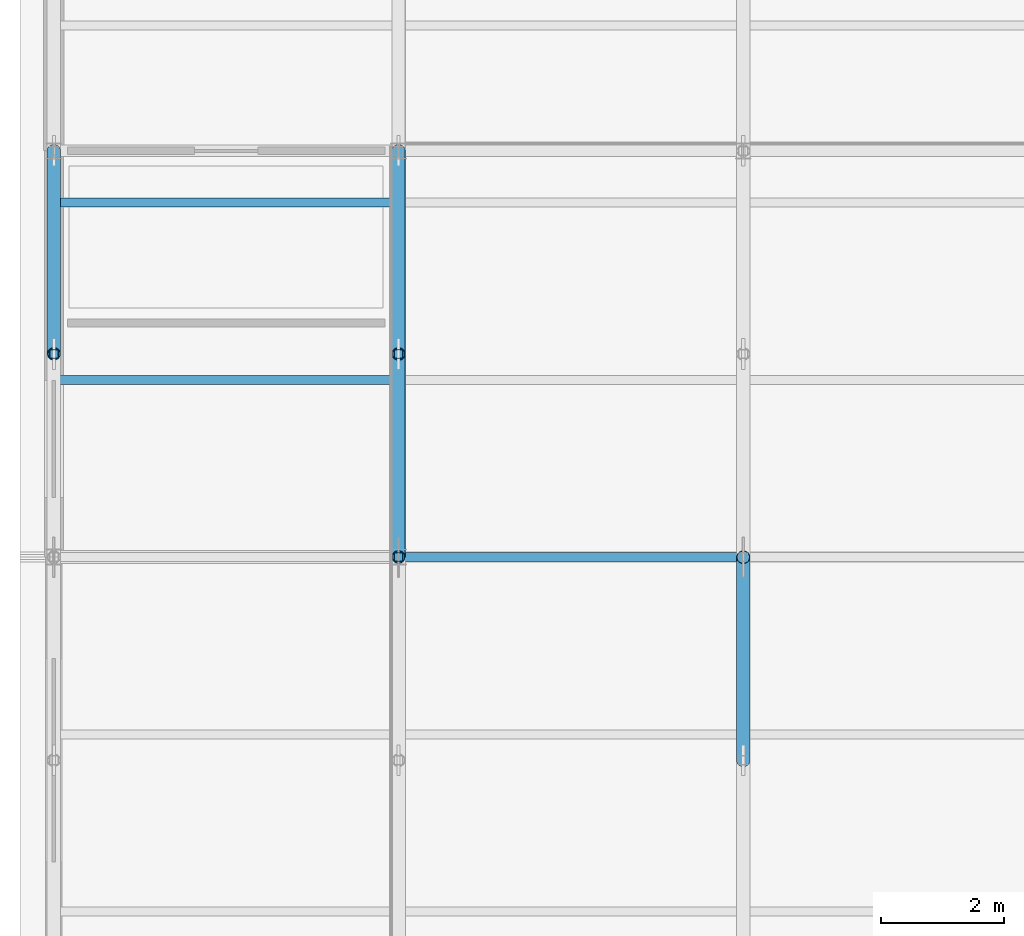
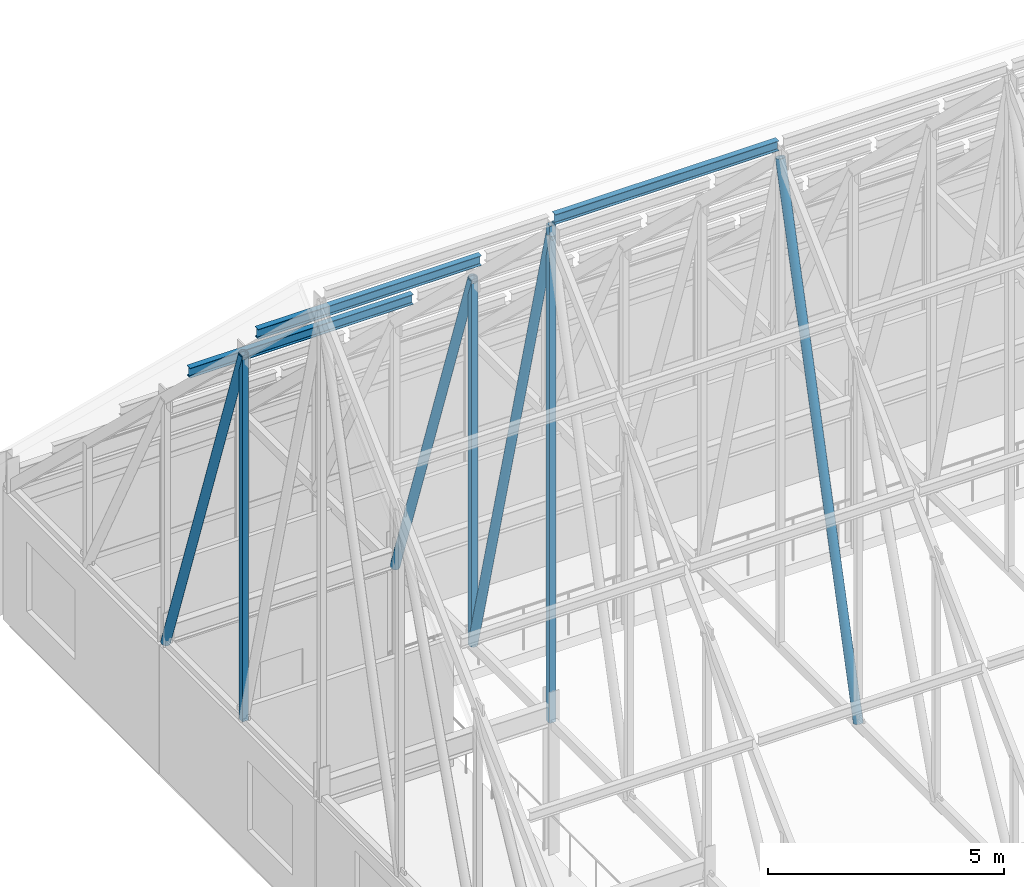
# One storey, part 29 of 144: 10 members.
"""IFC4 building model written with IfcOpenShell, lengths in metres."""

from ifc_helpers import new_model, si_unit, direction, frame, origin, origin_2d, place, context, subcontext, project, spatial, hollow_rectangle, hollow_circle, i_section, extrude, material, material_profile, profile_set, type_object, element, save


model = new_model("IFC4")

# Units and contexts
model_context = context("Model", 3, precision=1e-05, world=origin(), true_north=direction((0.0, 1.0)))
body_context = subcontext(model_context, "Body", "Model", "MODEL_VIEW")
ifc_project = project(units=[si_unit("LENGTHUNIT", "METRE"), si_unit("AREAUNIT", "SQUARE_METRE"), si_unit("VOLUMEUNIT", "CUBIC_METRE"), si_unit("PLANEANGLEUNIT", "RADIAN"), si_unit("MASSUNIT", "GRAM", prefix="KILO")], contexts=[model_context])

# Site, building, storey
site_placement = place(None, origin())
site = spatial("IfcSite", under=ifc_project, at=site_placement, CompositionType="ELEMENT")
building_placement = place(site_placement, origin())
building = spatial("IfcBuilding", under=site, at=building_placement, Name="Trelmorton Wharf Fire Station", CompositionType="ELEMENT")
storey_placement = place(building_placement, frame((0.0, 0.0, 5.39990234375)))
storey = spatial("IfcBuildingStorey", under=building, at=storey_placement, Name="L01", CompositionType="ELEMENT", Elevation=5.39990234375)

# Members
ifc_material_1 = material(Name="Steel Grade 300 (300 MPa)", Category="steel")
ifc_material_profile_1 = material_profile(ifc_material_1, i_section(OverallWidth=0.14599609375, OverallDepth=0.256103515625, WebThickness=0.00634765625, FlangeThickness=0.010986328125, FilletRadius=0.0087890625, at=origin_2d()), Name="250UB37.3")
ifc_profile_set_1 = profile_set([ifc_material_profile_1], Name="Steel Grade 300 (300 MPa)")
member_type_1 = type_object("IfcMemberType", Name="PR_250UB37", PredefinedType="PURLIN", material=ifc_profile_set_1)
for number, where, z_axis, x_axis, name in (
    (1, (0.8720703125, 23.8798828125, 13.5625), (1.0, 0.0, 0.0), (0.0, 1.0, 0.0), "V1-PR-B01-N1"),
    (2, (0.8720703125, 26.760009765625, 10.8134765625), (1.0, 0.0, 0.0), (0.0, 1.0, 0.0), "V1-PR-B01-N2"),
):
    element("IfcMember", number, at=place(storey_placement, frame(where, z_axis=z_axis, x_axis=x_axis)), inside=storey, type_object=member_type_1, Name=name, PredefinedType="PURLIN", context=body_context, shape_type="SweptSolid", body=[
        extrude(i_section(OverallWidth=0.14599609375, OverallDepth=0.256103515625, WebThickness=0.00634765625, FlangeThickness=0.010986328125, FilletRadius=0.0087890625, at=origin_2d()), origin(), (0.0, 0.0, 1.0), 5.455810546875),
    ])
member_1_placement = place(storey_placement, frame((6.471923828125, 21.0, 16.311767578125), z_axis=(1.0, 0.0, 0.0), x_axis=(0.0, 1.0, 0.0)))
element("IfcMember", 3, at=member_1_placement, inside=storey, type_object=member_type_1, Name="V1-PR-B02-S5", PredefinedType="PURLIN", context=body_context, shape_type="SweptSolid", body=[
    extrude(i_section(OverallWidth=0.14599609375, OverallDepth=0.256103515625, WebThickness=0.00634765625, FlangeThickness=0.010986328125, FilletRadius=0.0087890625, at=origin_2d()), origin(), (0.0, 0.0, 1.0), 5.4560546875),
])
ifc_material_2 = material(Name="Steel C350L0 (350 MPa)", Category="steel")
ifc_material_profile_2 = material_profile(ifc_material_2, hollow_circle(Radius=0.109619140625, WallThickness=0.00830078125, at=origin_2d()), Name="219.1x8.2CHS")
ifc_profile_set_2 = profile_set([ifc_material_profile_2], Name="Steel C350L0 (350 MPa)")
member_type_2 = type_object("IfcMemberType", Name="TR_DIAG_219CHS", PredefinedType="STRUT", material=ifc_profile_set_2)
for number, where, z_axis, x_axis, name in (
    (4, (0.800048828125, 27.60009765625, 3.351806640625), (0.0, -0.329681107508, 0.944092351072), (1.0, 0.0, 0.0), "V1-TR01-DG-N2"),
    (5, (6.39990234375, 27.60009765625, 3.351806640625), (0.0, -0.329681107508, 0.944092351072), (1.0, 0.0, 0.0), "V1-TR02-DG-N2"),
):
    element("IfcMember", number, at=place(storey_placement, frame(where, z_axis=z_axis, x_axis=x_axis)), inside=storey, type_object=member_type_2, Name=name, PredefinedType="STRUT", context=body_context, shape_type="SweptSolid", body=[
        extrude(hollow_circle(Radius=0.109619140625, WallThickness=0.00830078125, at=origin_2d()), origin(), (0.0, 0.0, 1.0), 10.009765625),
    ])
for number, where, z_axis, x_axis, name in (
    (6, (6.39990234375, 24.300048828125, 3.351806640625), (0.0, -0.25336106238, 0.967371785856), (1.0, 0.0, 0.0), "V1-TR02-DG-N3"),
    (7, (12.0, 17.699951171875, 3.351806640625), (0.0, 0.25336106238, 0.967371785856), (-1.0, 0.0, 0.0), "V1-TR03-DG-S3"),
):
    element("IfcMember", number, at=place(storey_placement, frame(where, z_axis=z_axis, x_axis=x_axis)), inside=storey, type_object=member_type_2, Name=name, PredefinedType="STRUT", context=body_context, shape_type="SweptSolid", body=[
        extrude(hollow_circle(Radius=0.109619140625, WallThickness=0.00830078125, at=origin_2d()), origin(), (0.0, 0.0, 1.0), 13.025146484375),
    ])
ifc_material_profile_3 = material_profile(ifc_material_2, hollow_rectangle(XDim=0.14990234375, YDim=0.14990234375, WallThickness=0.009033203125, at=origin_2d()), Name="150x150x9.0SHS")
ifc_profile_set_3 = profile_set([ifc_material_profile_3], Name="Steel C350L0 (350 MPa)")
member_type_3 = type_object("IfcMemberType", Name="TR_POST_150SHS", PredefinedType="POST", material=ifc_profile_set_3)
member_2_placement = place(storey_placement, frame((0.800048828125, 24.300048828125, 3.351806640625), z_axis=(0.0, 0.0, 1.0), x_axis=(1.0, 0.0, 0.0)))
element("IfcMember", 8, at=member_2_placement, inside=storey, type_object=member_type_3, Name="V1-TR01-VP-N3", PredefinedType="POST", context=body_context, shape_type="SweptSolid", body=[
    extrude(hollow_rectangle(XDim=0.14990234375, YDim=0.14990234375, WallThickness=0.009033203125, at=origin_2d()), origin(), (0.0, 0.0, 1.0), 9.4501953125),
])
member_3_placement = place(storey_placement, frame((6.39990234375, 21.0, 3.351806640625), z_axis=(0.0, 0.0, 1.0), x_axis=(1.0, 0.0, 0.0)))
element("IfcMember", 9, at=member_3_placement, inside=storey, type_object=member_type_3, Name="V1-TR02-KP", PredefinedType="POST", context=body_context, shape_type="SweptSolid", body=[
    extrude(hollow_rectangle(XDim=0.14990234375, YDim=0.14990234375, WallThickness=0.009033203125, at=origin_2d()), origin(), (0.0, 0.0, 1.0), 12.8359375),
])
member_4_placement = place(storey_placement, frame((6.39990234375, 24.300048828125, 3.351806640625), z_axis=(0.0, 0.0, 1.0), x_axis=(1.0, 0.0, 0.0)))
element("IfcMember", 10, at=member_4_placement, inside=storey, type_object=member_type_3, Name="V1-TR02-VP-N3", PredefinedType="POST", context=body_context, shape_type="SweptSolid", body=[
    extrude(hollow_rectangle(XDim=0.14990234375, YDim=0.14990234375, WallThickness=0.009033203125, at=origin_2d()), origin(), (0.0, 0.0, 1.0), 9.4501953125),
])

save(model, "model.ifc")
